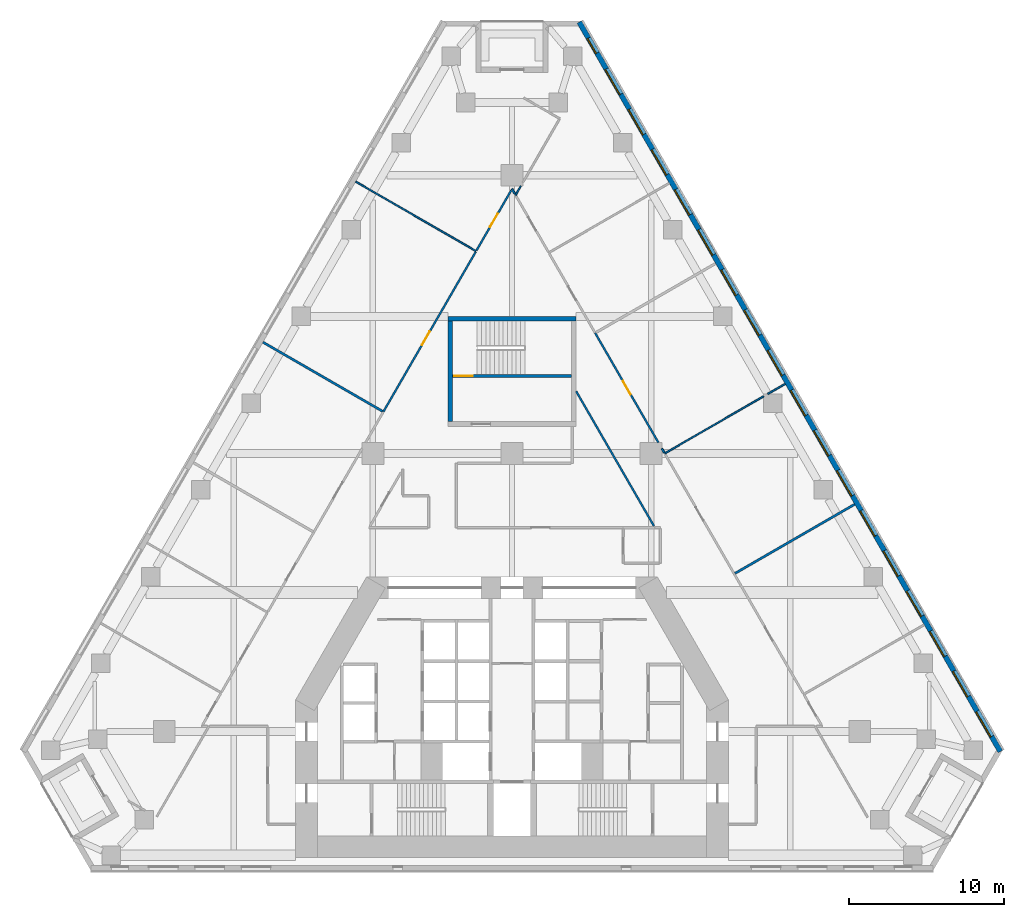
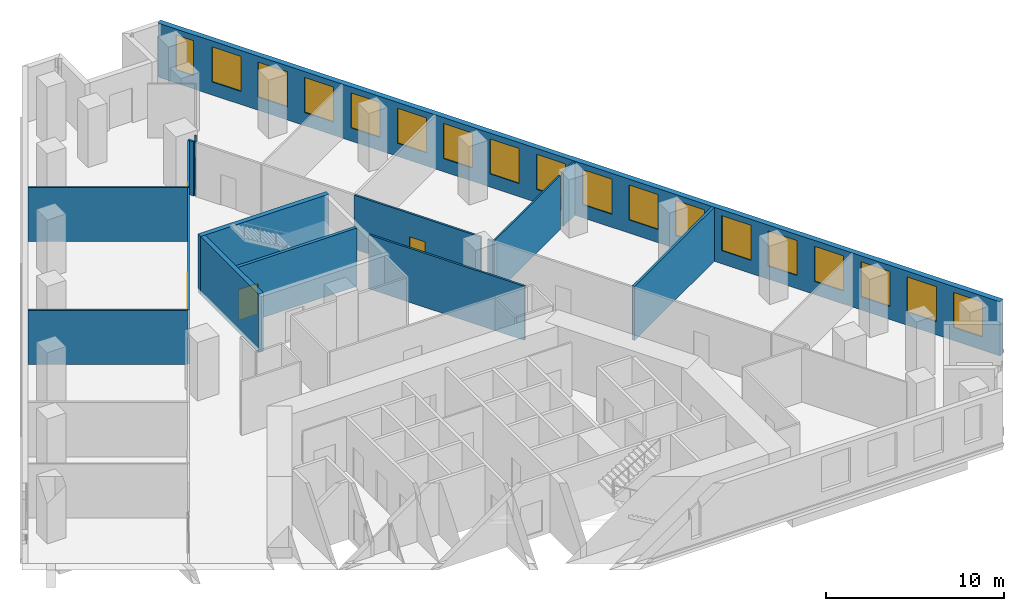
# One storey, part 8 of 11: 18 windows, 16 walls, 4 doors, 22 openings.
"""IFC4 building model written with IfcOpenShell, lengths in metres."""

from ifc_helpers import new_model, si_unit, direction, frame, frame_2d, origin, place, context, subcontext, project, spatial, rectangle, extrude, material, layer, layer_set, type_object, element, fill, save


model = new_model("IFC4")

# Units and contexts
model_context = context("Model", 3, precision=1e-05, world=origin(), true_north=direction((0.0, 1.0)))
body_context = subcontext(model_context, "Body", "Model", "MODEL_VIEW")
ifc_project = project(units=[si_unit("LENGTHUNIT", "METRE"), si_unit("AREAUNIT", "SQUARE_METRE"), si_unit("VOLUMEUNIT", "CUBIC_METRE"), si_unit("PLANEANGLEUNIT", "RADIAN"), si_unit("MASSUNIT", "GRAM", prefix="KILO")], contexts=[model_context])

# Site, building, storey
site_placement = place(None, origin())
site = spatial("IfcSite", under=ifc_project, at=site_placement, CompositionType="ELEMENT")
building_placement = place(site_placement, origin())
building = spatial("IfcBuilding", under=site, at=building_placement, Name="Fogline Exchange Tower", CompositionType="ELEMENT")
storey_placement = place(building_placement, frame((0.0, 0.0, 52.89990234375)))
storey = spatial("IfcBuildingStorey", under=building, at=storey_placement, Name="L10", CompositionType="ELEMENT", Elevation=52.89990234375)

# Wall, opening, door
ifc_material_1 = material(Name="Concrete C40", Category="concrete")
ifc_layer_1 = layer(ifc_material_1, 0.199951171875)
ifc_layer_set_1 = layer_set([ifc_layer_1], Name="CW20R")
wall_type_1 = type_object("IfcWallType", Name="CW20R", PredefinedType="SOLIDWALL", material=ifc_layer_set_1)
wall_1_placement = place(storey_placement, frame((-3.85009765625, 32.007080078125, -0.2998046875), z_axis=(0.0, 0.0, 1.0), x_axis=(1.0, 0.0, 0.0)))
wall_1 = element("IfcWall", 1, at=wall_1_placement, inside=storey, type_object=wall_type_1, Name="Stair enclosure wall ST3", PredefinedType="SOLIDWALL", context=body_context, shape_type="SweptSolid", body=[
    extrude(rectangle(XDim=7.7001953125, YDim=0.199951171875, at=frame_2d((3.85009765625, 0.0))), origin(), (0.0, 0.0, 1.0), 4.0),
])
opening_1_placement = place(wall_1_placement, frame((0.10009765625, 0.0, 0.300048828125)))
opening_1 = element("IfcOpeningElement", 2, at=opening_1_placement, cuts=wall_1, Name="Opening T03-C024", PredefinedType="OPENING", context=body_context, shape_type="SweptSolid", body=[
    extrude(rectangle(XDim=1.199951171875, YDim=2.10009765625, at=frame_2d((0.60009765625, 1.050048828125))), frame((0.0, 0.10986328125, 0.0), z_axis=(0.0, -1.0, 0.0), x_axis=(1.0, 0.0, 0.0)), (0.0, 0.0, 1.0), 0.219970703125),
])
ifc_material_2 = material(Name="Steel and timber fire door", Category="steel")
door_type_1 = type_object("IfcDoorType", Name="D-ST1", OperationType="SINGLE_SWING_LEFT", PredefinedType="DOOR", material=ifc_material_2)
door_1_placement = place(opening_1_placement, origin())
door_1 = element("IfcDoor", 3, at=door_1_placement, inside=storey, type_object=door_type_1, Name="Stair door ST3", OperationType="SINGLE_SWING_LEFT", OverallHeight=2.10009765625, OverallWidth=1.199951171875, PredefinedType="DOOR", context=body_context, shape_type="SweptSolid", body=[
    extrude(rectangle(XDim=1.199951171875, YDim=2.10009765625, at=frame_2d((0.60009765625, 1.050048828125))), frame((0.0, 0.02490234375, 0.0), z_axis=(0.0, -1.0, 0.0), x_axis=(1.0, 0.0, 0.0)), (0.0, 0.0, 1.0), 0.050048828125),
])
fill(opening_1, door_1)

# Walls
ifc_layer_2 = layer(ifc_material_1, 0.300048828125)
ifc_layer_set_2 = layer_set([ifc_layer_2], Name="CW30")
wall_type_2 = type_object("IfcWallType", Name="CW30", PredefinedType="SOLIDWALL", material=ifc_layer_set_2)
wall_2_placement = place(storey_placement, frame((-4.14990234375, 35.70703125, -0.2998046875), z_axis=(0.0, 0.0, 1.0), x_axis=(1.0, 0.0, 0.0)))
element("IfcWall", 4, at=wall_2_placement, inside=storey, type_object=wall_type_2, Name="Stair enclosure wall ST3", PredefinedType="SOLIDWALL", context=body_context, shape_type="SweptSolid", body=[
    extrude(rectangle(XDim=8.2998046875, YDim=0.300048828125, at=frame_2d((4.14990234375, 0.0))), origin(), (0.0, 0.0, 1.0), 4.0),
])
wall_3_placement = place(storey_placement, frame((-4.0, 29.056884765625, -0.2998046875), z_axis=(0.0, 0.0, 1.0), x_axis=(0.0, 1.0, 0.0)))
element("IfcWall", 5, at=wall_3_placement, inside=storey, type_object=wall_type_2, Name="Stair enclosure wall ST3", PredefinedType="SOLIDWALL", context=body_context, shape_type="SweptSolid", body=[
    extrude(rectangle(XDim=6.5, YDim=0.300048828125, at=frame_2d((3.25, 0.0))), origin(), (0.0, 0.0, 1.0), 4.0),
])

# Wall, openings, windows
ifc_material_3 = material(Name="Brick masonry", Category="masonry")
ifc_layer_3 = layer(ifc_material_3, 0.340087890625)
ifc_layer_set_3 = layer_set([ifc_layer_3], Name="FW1")
wall_type_3 = type_object("IfcWallType", Name="FW1", PredefinedType="SOLIDWALL", material=ifc_layer_set_3)
wall_4_placement = place(storey_placement, frame((31.60791015625, 7.709228515625, 0.0), z_axis=(0.0, 0.0, 1.0), x_axis=(-0.499997975305, 0.86602657274, 0.0)))
wall_4 = element("IfcWall", 6, at=wall_4_placement, inside=storey, type_object=wall_type_3, Name="Brick wall L10 E", PredefinedType="SOLIDWALL", context=body_context, shape_type="SweptSolid", body=[
    extrude(rectangle(XDim=54.510498046875, YDim=0.340087890625, at=frame_2d((27.25537109375, 0.0))), origin(), (0.0, 0.0, 1.0), 3.7001953125),
])
opening_2_placement = place(wall_4_placement, frame((1.127685546875, 0.0, 0.89990234375)))
opening_2 = element("IfcOpeningElement", 7, at=opening_2_placement, cuts=wall_4, Name="Opening W1", PredefinedType="OPENING", context=body_context, shape_type="SweptSolid", body=[
    extrude(rectangle(XDim=1.885009765625, YDim=2.39990234375, at=frame_2d((0.9423828125, 1.199951171875))), frame((0.0, 0.18017578125, 0.0), z_axis=(0.0, -1.0, 0.0), x_axis=(1.0, 0.0, 0.0)), (0.0, 0.0, 1.0), 0.360107421875),
])
opening_3_placement = place(wall_4_placement, frame((4.127685546875, 0.0, 0.89990234375)))
opening_3 = element("IfcOpeningElement", 8, at=opening_3_placement, cuts=wall_4, Name="Opening W1", PredefinedType="OPENING", context=body_context, shape_type="SweptSolid", body=[
    extrude(rectangle(XDim=1.885009765625, YDim=2.39990234375, at=frame_2d((0.9423828125, 1.199951171875))), frame((0.0, 0.18017578125, 0.0), z_axis=(0.0, -1.0, 0.0), x_axis=(1.0, 0.0, 0.0)), (0.0, 0.0, 1.0), 0.360107421875),
])
opening_4_placement = place(wall_4_placement, frame((7.127685546875, 0.0, 0.89990234375)))
opening_4 = element("IfcOpeningElement", 9, at=opening_4_placement, cuts=wall_4, Name="Opening W1", PredefinedType="OPENING", context=body_context, shape_type="SweptSolid", body=[
    extrude(rectangle(XDim=1.885009765625, YDim=2.39990234375, at=frame_2d((0.9423828125, 1.199951171875))), frame((0.0, 0.18017578125, 0.0), z_axis=(0.0, -1.0, 0.0), x_axis=(1.0, 0.0, 0.0)), (0.0, 0.0, 1.0), 0.360107421875),
])
opening_5_placement = place(wall_4_placement, frame((10.127685546875, 0.0, 0.89990234375)))
opening_5 = element("IfcOpeningElement", 10, at=opening_5_placement, cuts=wall_4, Name="Opening W1", PredefinedType="OPENING", context=body_context, shape_type="SweptSolid", body=[
    extrude(rectangle(XDim=1.885009765625, YDim=2.39990234375, at=frame_2d((0.9423828125, 1.199951171875))), frame((0.0, 0.18017578125, 0.0), z_axis=(0.0, -1.0, 0.0), x_axis=(1.0, 0.0, 0.0)), (0.0, 0.0, 1.0), 0.360107421875),
])
opening_6_placement = place(wall_4_placement, frame((13.127685546875, 0.0, 0.89990234375)))
opening_6 = element("IfcOpeningElement", 11, at=opening_6_placement, cuts=wall_4, Name="Opening W1", PredefinedType="OPENING", context=body_context, shape_type="SweptSolid", body=[
    extrude(rectangle(XDim=1.885009765625, YDim=2.39990234375, at=frame_2d((0.9423828125, 1.199951171875))), frame((0.0, 0.18017578125, 0.0), z_axis=(0.0, -1.0, 0.0), x_axis=(1.0, 0.0, 0.0)), (0.0, 0.0, 1.0), 0.360107421875),
])
opening_7_placement = place(wall_4_placement, frame((16.127685546875, 0.0, 0.89990234375)))
opening_7 = element("IfcOpeningElement", 12, at=opening_7_placement, cuts=wall_4, Name="Opening W1", PredefinedType="OPENING", context=body_context, shape_type="SweptSolid", body=[
    extrude(rectangle(XDim=1.885009765625, YDim=2.39990234375, at=frame_2d((0.9423828125, 1.199951171875))), frame((0.0, 0.18017578125, 0.0), z_axis=(0.0, -1.0, 0.0), x_axis=(1.0, 0.0, 0.0)), (0.0, 0.0, 1.0), 0.360107421875),
])
opening_8_placement = place(wall_4_placement, frame((19.127685546875, 0.0, 0.89990234375)))
opening_8 = element("IfcOpeningElement", 13, at=opening_8_placement, cuts=wall_4, Name="Opening W1", PredefinedType="OPENING", context=body_context, shape_type="SweptSolid", body=[
    extrude(rectangle(XDim=1.885009765625, YDim=2.39990234375, at=frame_2d((0.9423828125, 1.199951171875))), frame((0.0, 0.18017578125, 0.0), z_axis=(0.0, -1.0, 0.0), x_axis=(1.0, 0.0, 0.0)), (0.0, 0.0, 1.0), 0.360107421875),
])
opening_9_placement = place(wall_4_placement, frame((22.127685546875, 0.0, 0.89990234375)))
opening_9 = element("IfcOpeningElement", 14, at=opening_9_placement, cuts=wall_4, Name="Opening W1", PredefinedType="OPENING", context=body_context, shape_type="SweptSolid", body=[
    extrude(rectangle(XDim=1.885009765625, YDim=2.39990234375, at=frame_2d((0.9423828125, 1.199951171875))), frame((0.0, 0.18017578125, 0.0), z_axis=(0.0, -1.0, 0.0), x_axis=(1.0, 0.0, 0.0)), (0.0, 0.0, 1.0), 0.360107421875),
])
opening_10_placement = place(wall_4_placement, frame((25.127685546875, 0.0, 0.89990234375)))
opening_10 = element("IfcOpeningElement", 15, at=opening_10_placement, cuts=wall_4, Name="Opening W1", PredefinedType="OPENING", context=body_context, shape_type="SweptSolid", body=[
    extrude(rectangle(XDim=1.885009765625, YDim=2.39990234375, at=frame_2d((0.9423828125, 1.199951171875))), frame((0.0, 0.18017578125, 0.0), z_axis=(0.0, -1.0, 0.0), x_axis=(1.0, 0.0, 0.0)), (0.0, 0.0, 1.0), 0.360107421875),
])
opening_11_placement = place(wall_4_placement, frame((28.127685546875, 0.0, 0.89990234375)))
opening_11 = element("IfcOpeningElement", 16, at=opening_11_placement, cuts=wall_4, Name="Opening W1", PredefinedType="OPENING", context=body_context, shape_type="SweptSolid", body=[
    extrude(rectangle(XDim=1.885009765625, YDim=2.39990234375, at=frame_2d((0.9423828125, 1.199951171875))), frame((0.0, 0.18017578125, 0.0), z_axis=(0.0, -1.0, 0.0), x_axis=(1.0, 0.0, 0.0)), (0.0, 0.0, 1.0), 0.360107421875),
])
opening_12_placement = place(wall_4_placement, frame((31.127685546875, 0.0, 0.89990234375)))
opening_12 = element("IfcOpeningElement", 17, at=opening_12_placement, cuts=wall_4, Name="Opening W1", PredefinedType="OPENING", context=body_context, shape_type="SweptSolid", body=[
    extrude(rectangle(XDim=1.885009765625, YDim=2.39990234375, at=frame_2d((0.9423828125, 1.199951171875))), frame((0.0, 0.18017578125, 0.0), z_axis=(0.0, -1.0, 0.0), x_axis=(1.0, 0.0, 0.0)), (0.0, 0.0, 1.0), 0.360107421875),
])
opening_13_placement = place(wall_4_placement, frame((34.127685546875, 0.0, 0.89990234375)))
opening_13 = element("IfcOpeningElement", 18, at=opening_13_placement, cuts=wall_4, Name="Opening W1", PredefinedType="OPENING", context=body_context, shape_type="SweptSolid", body=[
    extrude(rectangle(XDim=1.885009765625, YDim=2.39990234375, at=frame_2d((0.9423828125, 1.199951171875))), frame((0.0, 0.18017578125, 0.0), z_axis=(0.0, -1.0, 0.0), x_axis=(1.0, 0.0, 0.0)), (0.0, 0.0, 1.0), 0.360107421875),
])
opening_14_placement = place(wall_4_placement, frame((37.127685546875, 0.0, 0.89990234375)))
opening_14 = element("IfcOpeningElement", 19, at=opening_14_placement, cuts=wall_4, Name="Opening W1", PredefinedType="OPENING", context=body_context, shape_type="SweptSolid", body=[
    extrude(rectangle(XDim=1.885009765625, YDim=2.39990234375, at=frame_2d((0.9423828125, 1.199951171875))), frame((0.0, 0.18017578125, 0.0), z_axis=(0.0, -1.0, 0.0), x_axis=(1.0, 0.0, 0.0)), (0.0, 0.0, 1.0), 0.360107421875),
])
opening_15_placement = place(wall_4_placement, frame((40.127685546875, 0.0, 0.89990234375)))
opening_15 = element("IfcOpeningElement", 20, at=opening_15_placement, cuts=wall_4, Name="Opening W1", PredefinedType="OPENING", context=body_context, shape_type="SweptSolid", body=[
    extrude(rectangle(XDim=1.885009765625, YDim=2.39990234375, at=frame_2d((0.9423828125, 1.199951171875))), frame((0.0, 0.18017578125, 0.0), z_axis=(0.0, -1.0, 0.0), x_axis=(1.0, 0.0, 0.0)), (0.0, 0.0, 1.0), 0.360107421875),
])
opening_16_placement = place(wall_4_placement, frame((43.127685546875, 0.0, 0.89990234375)))
opening_16 = element("IfcOpeningElement", 21, at=opening_16_placement, cuts=wall_4, Name="Opening W1", PredefinedType="OPENING", context=body_context, shape_type="SweptSolid", body=[
    extrude(rectangle(XDim=1.885009765625, YDim=2.39990234375, at=frame_2d((0.9423828125, 1.199951171875))), frame((0.0, 0.18017578125, 0.0), z_axis=(0.0, -1.0, 0.0), x_axis=(1.0, 0.0, 0.0)), (0.0, 0.0, 1.0), 0.360107421875),
])
opening_17_placement = place(wall_4_placement, frame((46.127685546875, 0.0, 0.89990234375)))
opening_17 = element("IfcOpeningElement", 22, at=opening_17_placement, cuts=wall_4, Name="Opening W1", PredefinedType="OPENING", context=body_context, shape_type="SweptSolid", body=[
    extrude(rectangle(XDim=1.885009765625, YDim=2.39990234375, at=frame_2d((0.9423828125, 1.199951171875))), frame((0.0, 0.18017578125, 0.0), z_axis=(0.0, -1.0, 0.0), x_axis=(1.0, 0.0, 0.0)), (0.0, 0.0, 1.0), 0.360107421875),
])
opening_18_placement = place(wall_4_placement, frame((49.127685546875, 0.0, 0.89990234375)))
opening_18 = element("IfcOpeningElement", 23, at=opening_18_placement, cuts=wall_4, Name="Opening W1", PredefinedType="OPENING", context=body_context, shape_type="SweptSolid", body=[
    extrude(rectangle(XDim=1.885009765625, YDim=2.39990234375, at=frame_2d((0.9423828125, 1.199951171875))), frame((0.0, 0.18017578125, 0.0), z_axis=(0.0, -1.0, 0.0), x_axis=(1.0, 0.0, 0.0)), (0.0, 0.0, 1.0), 0.360107421875),
])
opening_19_placement = place(wall_4_placement, frame((52.2041015625, 0.0, 0.89990234375)))
opening_19 = element("IfcOpeningElement", 24, at=opening_19_placement, cuts=wall_4, Name="Opening W4", PredefinedType="OPENING", context=body_context, shape_type="SweptSolid", body=[
    extrude(rectangle(XDim=1.114990234375, YDim=2.39990234375, at=frame_2d((0.5576171875, 1.199951171875))), frame((0.0, 0.18017578125, 0.0), z_axis=(0.0, -1.0, 0.0), x_axis=(1.0, 0.0, 0.0)), (0.0, 0.0, 1.0), 0.360107421875),
])
ifc_material_4 = material(Name="Aluminium and glass", Category="aluminium")
window_type_1 = type_object("IfcWindowType", Name="W1", PartitioningType="SINGLE_PANEL", PredefinedType="WINDOW", material=ifc_material_4)
window_1_placement = place(opening_2_placement, origin())
window_1 = element("IfcWindow", 25, at=window_1_placement, inside=storey, type_object=window_type_1, Name="W1 W1", OverallHeight=2.39990234375, OverallWidth=1.885009765625, PartitioningType="SINGLE_PANEL", PredefinedType="WINDOW", context=body_context, shape_type="SweptSolid", body=[
    extrude(rectangle(XDim=1.885009765625, YDim=2.39990234375, at=frame_2d((0.9423828125, 1.199951171875))), frame((0.0, 0.110107421875, 0.0), z_axis=(0.0, -1.0, 0.0), x_axis=(1.0, 0.0, 0.0)), (0.0, 0.0, 1.0), 0.06005859375),
])
fill(opening_2, window_1)
window_2_placement = place(opening_3_placement, origin())
window_2 = element("IfcWindow", 26, at=window_2_placement, inside=storey, type_object=window_type_1, Name="W1 W1", OverallHeight=2.39990234375, OverallWidth=1.885009765625, PartitioningType="SINGLE_PANEL", PredefinedType="WINDOW", context=body_context, shape_type="SweptSolid", body=[
    extrude(rectangle(XDim=1.885009765625, YDim=2.39990234375, at=frame_2d((0.9423828125, 1.199951171875))), frame((0.0, 0.110107421875, 0.0), z_axis=(0.0, -1.0, 0.0), x_axis=(1.0, 0.0, 0.0)), (0.0, 0.0, 1.0), 0.06005859375),
])
fill(opening_3, window_2)
window_3_placement = place(opening_4_placement, origin())
window_3 = element("IfcWindow", 27, at=window_3_placement, inside=storey, type_object=window_type_1, Name="W1 W1", OverallHeight=2.39990234375, OverallWidth=1.885009765625, PartitioningType="SINGLE_PANEL", PredefinedType="WINDOW", context=body_context, shape_type="SweptSolid", body=[
    extrude(rectangle(XDim=1.885009765625, YDim=2.39990234375, at=frame_2d((0.9423828125, 1.199951171875))), frame((0.0, 0.110107421875, 0.0), z_axis=(0.0, -1.0, 0.0), x_axis=(1.0, 0.0, 0.0)), (0.0, 0.0, 1.0), 0.06005859375),
])
fill(opening_4, window_3)
window_4_placement = place(opening_5_placement, origin())
window_4 = element("IfcWindow", 28, at=window_4_placement, inside=storey, type_object=window_type_1, Name="W1 W1", OverallHeight=2.39990234375, OverallWidth=1.885009765625, PartitioningType="SINGLE_PANEL", PredefinedType="WINDOW", context=body_context, shape_type="SweptSolid", body=[
    extrude(rectangle(XDim=1.885009765625, YDim=2.39990234375, at=frame_2d((0.9423828125, 1.199951171875))), frame((0.0, 0.110107421875, 0.0), z_axis=(0.0, -1.0, 0.0), x_axis=(1.0, 0.0, 0.0)), (0.0, 0.0, 1.0), 0.06005859375),
])
fill(opening_5, window_4)
window_5_placement = place(opening_6_placement, origin())
window_5 = element("IfcWindow", 29, at=window_5_placement, inside=storey, type_object=window_type_1, Name="W1 W1", OverallHeight=2.39990234375, OverallWidth=1.885009765625, PartitioningType="SINGLE_PANEL", PredefinedType="WINDOW", context=body_context, shape_type="SweptSolid", body=[
    extrude(rectangle(XDim=1.885009765625, YDim=2.39990234375, at=frame_2d((0.9423828125, 1.199951171875))), frame((0.0, 0.110107421875, 0.0), z_axis=(0.0, -1.0, 0.0), x_axis=(1.0, 0.0, 0.0)), (0.0, 0.0, 1.0), 0.06005859375),
])
fill(opening_6, window_5)
window_6_placement = place(opening_7_placement, origin())
window_6 = element("IfcWindow", 30, at=window_6_placement, inside=storey, type_object=window_type_1, Name="W1 W1", OverallHeight=2.39990234375, OverallWidth=1.885009765625, PartitioningType="SINGLE_PANEL", PredefinedType="WINDOW", context=body_context, shape_type="SweptSolid", body=[
    extrude(rectangle(XDim=1.885009765625, YDim=2.39990234375, at=frame_2d((0.9423828125, 1.199951171875))), frame((0.0, 0.110107421875, 0.0), z_axis=(0.0, -1.0, 0.0), x_axis=(1.0, 0.0, 0.0)), (0.0, 0.0, 1.0), 0.06005859375),
])
fill(opening_7, window_6)
window_7_placement = place(opening_8_placement, origin())
window_7 = element("IfcWindow", 31, at=window_7_placement, inside=storey, type_object=window_type_1, Name="W1 W1", OverallHeight=2.39990234375, OverallWidth=1.885009765625, PartitioningType="SINGLE_PANEL", PredefinedType="WINDOW", context=body_context, shape_type="SweptSolid", body=[
    extrude(rectangle(XDim=1.885009765625, YDim=2.39990234375, at=frame_2d((0.9423828125, 1.199951171875))), frame((0.0, 0.110107421875, 0.0), z_axis=(0.0, -1.0, 0.0), x_axis=(1.0, 0.0, 0.0)), (0.0, 0.0, 1.0), 0.06005859375),
])
fill(opening_8, window_7)
window_8_placement = place(opening_9_placement, origin())
window_8 = element("IfcWindow", 32, at=window_8_placement, inside=storey, type_object=window_type_1, Name="W1 W1", OverallHeight=2.39990234375, OverallWidth=1.885009765625, PartitioningType="SINGLE_PANEL", PredefinedType="WINDOW", context=body_context, shape_type="SweptSolid", body=[
    extrude(rectangle(XDim=1.885009765625, YDim=2.39990234375, at=frame_2d((0.9423828125, 1.199951171875))), frame((0.0, 0.110107421875, 0.0), z_axis=(0.0, -1.0, 0.0), x_axis=(1.0, 0.0, 0.0)), (0.0, 0.0, 1.0), 0.06005859375),
])
fill(opening_9, window_8)
window_9_placement = place(opening_10_placement, origin())
window_9 = element("IfcWindow", 33, at=window_9_placement, inside=storey, type_object=window_type_1, Name="W1 W1", OverallHeight=2.39990234375, OverallWidth=1.885009765625, PartitioningType="SINGLE_PANEL", PredefinedType="WINDOW", context=body_context, shape_type="SweptSolid", body=[
    extrude(rectangle(XDim=1.885009765625, YDim=2.39990234375, at=frame_2d((0.9423828125, 1.199951171875))), frame((0.0, 0.110107421875, 0.0), z_axis=(0.0, -1.0, 0.0), x_axis=(1.0, 0.0, 0.0)), (0.0, 0.0, 1.0), 0.06005859375),
])
fill(opening_10, window_9)
window_10_placement = place(opening_11_placement, origin())
window_10 = element("IfcWindow", 34, at=window_10_placement, inside=storey, type_object=window_type_1, Name="W1 W1", OverallHeight=2.39990234375, OverallWidth=1.885009765625, PartitioningType="SINGLE_PANEL", PredefinedType="WINDOW", context=body_context, shape_type="SweptSolid", body=[
    extrude(rectangle(XDim=1.885009765625, YDim=2.39990234375, at=frame_2d((0.9423828125, 1.199951171875))), frame((0.0, 0.110107421875, 0.0), z_axis=(0.0, -1.0, 0.0), x_axis=(1.0, 0.0, 0.0)), (0.0, 0.0, 1.0), 0.06005859375),
])
fill(opening_11, window_10)
window_11_placement = place(opening_12_placement, origin())
window_11 = element("IfcWindow", 35, at=window_11_placement, inside=storey, type_object=window_type_1, Name="W1 W1", OverallHeight=2.39990234375, OverallWidth=1.885009765625, PartitioningType="SINGLE_PANEL", PredefinedType="WINDOW", context=body_context, shape_type="SweptSolid", body=[
    extrude(rectangle(XDim=1.885009765625, YDim=2.39990234375, at=frame_2d((0.9423828125, 1.199951171875))), frame((0.0, 0.110107421875, 0.0), z_axis=(0.0, -1.0, 0.0), x_axis=(1.0, 0.0, 0.0)), (0.0, 0.0, 1.0), 0.06005859375),
])
fill(opening_12, window_11)
window_12_placement = place(opening_13_placement, origin())
window_12 = element("IfcWindow", 36, at=window_12_placement, inside=storey, type_object=window_type_1, Name="W1 W1", OverallHeight=2.39990234375, OverallWidth=1.885009765625, PartitioningType="SINGLE_PANEL", PredefinedType="WINDOW", context=body_context, shape_type="SweptSolid", body=[
    extrude(rectangle(XDim=1.885009765625, YDim=2.39990234375, at=frame_2d((0.9423828125, 1.199951171875))), frame((0.0, 0.110107421875, 0.0), z_axis=(0.0, -1.0, 0.0), x_axis=(1.0, 0.0, 0.0)), (0.0, 0.0, 1.0), 0.06005859375),
])
fill(opening_13, window_12)
window_13_placement = place(opening_14_placement, origin())
window_13 = element("IfcWindow", 37, at=window_13_placement, inside=storey, type_object=window_type_1, Name="W1 W1", OverallHeight=2.39990234375, OverallWidth=1.885009765625, PartitioningType="SINGLE_PANEL", PredefinedType="WINDOW", context=body_context, shape_type="SweptSolid", body=[
    extrude(rectangle(XDim=1.885009765625, YDim=2.39990234375, at=frame_2d((0.9423828125, 1.199951171875))), frame((0.0, 0.110107421875, 0.0), z_axis=(0.0, -1.0, 0.0), x_axis=(1.0, 0.0, 0.0)), (0.0, 0.0, 1.0), 0.06005859375),
])
fill(opening_14, window_13)
window_14_placement = place(opening_15_placement, origin())
window_14 = element("IfcWindow", 38, at=window_14_placement, inside=storey, type_object=window_type_1, Name="W1 W1", OverallHeight=2.39990234375, OverallWidth=1.885009765625, PartitioningType="SINGLE_PANEL", PredefinedType="WINDOW", context=body_context, shape_type="SweptSolid", body=[
    extrude(rectangle(XDim=1.885009765625, YDim=2.39990234375, at=frame_2d((0.9423828125, 1.199951171875))), frame((0.0, 0.110107421875, 0.0), z_axis=(0.0, -1.0, 0.0), x_axis=(1.0, 0.0, 0.0)), (0.0, 0.0, 1.0), 0.06005859375),
])
fill(opening_15, window_14)
window_15_placement = place(opening_16_placement, origin())
window_15 = element("IfcWindow", 39, at=window_15_placement, inside=storey, type_object=window_type_1, Name="W1 W1", OverallHeight=2.39990234375, OverallWidth=1.885009765625, PartitioningType="SINGLE_PANEL", PredefinedType="WINDOW", context=body_context, shape_type="SweptSolid", body=[
    extrude(rectangle(XDim=1.885009765625, YDim=2.39990234375, at=frame_2d((0.9423828125, 1.199951171875))), frame((0.0, 0.110107421875, 0.0), z_axis=(0.0, -1.0, 0.0), x_axis=(1.0, 0.0, 0.0)), (0.0, 0.0, 1.0), 0.06005859375),
])
fill(opening_16, window_15)
window_16_placement = place(opening_17_placement, origin())
window_16 = element("IfcWindow", 40, at=window_16_placement, inside=storey, type_object=window_type_1, Name="W1 W1", OverallHeight=2.39990234375, OverallWidth=1.885009765625, PartitioningType="SINGLE_PANEL", PredefinedType="WINDOW", context=body_context, shape_type="SweptSolid", body=[
    extrude(rectangle(XDim=1.885009765625, YDim=2.39990234375, at=frame_2d((0.9423828125, 1.199951171875))), frame((0.0, 0.110107421875, 0.0), z_axis=(0.0, -1.0, 0.0), x_axis=(1.0, 0.0, 0.0)), (0.0, 0.0, 1.0), 0.06005859375),
])
fill(opening_17, window_16)
window_17_placement = place(opening_18_placement, origin())
window_17 = element("IfcWindow", 41, at=window_17_placement, inside=storey, type_object=window_type_1, Name="W1 W1", OverallHeight=2.39990234375, OverallWidth=1.885009765625, PartitioningType="SINGLE_PANEL", PredefinedType="WINDOW", context=body_context, shape_type="SweptSolid", body=[
    extrude(rectangle(XDim=1.885009765625, YDim=2.39990234375, at=frame_2d((0.9423828125, 1.199951171875))), frame((0.0, 0.110107421875, 0.0), z_axis=(0.0, -1.0, 0.0), x_axis=(1.0, 0.0, 0.0)), (0.0, 0.0, 1.0), 0.06005859375),
])
fill(opening_18, window_17)
window_type_2 = type_object("IfcWindowType", Name="W4", PartitioningType="SINGLE_PANEL", PredefinedType="WINDOW", material=ifc_material_4)
window_18_placement = place(opening_19_placement, origin())
window_18 = element("IfcWindow", 42, at=window_18_placement, inside=storey, type_object=window_type_2, Name="W4 W4", OverallHeight=2.39990234375, OverallWidth=1.114990234375, PartitioningType="SINGLE_PANEL", PredefinedType="WINDOW", context=body_context, shape_type="SweptSolid", body=[
    extrude(rectangle(XDim=1.114990234375, YDim=2.39990234375, at=frame_2d((0.5576171875, 1.199951171875))), frame((0.0, 0.110107421875, 0.0), z_axis=(0.0, -1.0, 0.0), x_axis=(1.0, 0.0, 0.0)), (0.0, 0.0, 1.0), 0.06005859375),
])
fill(opening_19, window_18)

# Walls
ifc_material_5 = material(Name="Plasterboard partition, 2 layers each side on steel studs", Category="steel")
ifc_layer_4 = layer(ifc_material_5, 0.10009765625)
ifc_layer_set_4 = layer_set([ifc_layer_4], Name="PW1")
wall_type_4 = type_object("IfcWallType", Name="PW1", PredefinedType="PARTITIONING", material=ifc_layer_set_4)
wall_5_placement = place(storey_placement, frame((9.881591796875, 27.00048828125, 0.0), z_axis=(0.0, 0.0, 1.0), x_axis=(0.86601304703, 0.500021401916, 0.0)))
element("IfcWall", 43, at=wall_5_placement, inside=storey, type_object=wall_type_4, Name="wall-L10-W040", PredefinedType="PARTITIONING", context=body_context, shape_type="SweptSolid", body=[
    extrude(rectangle(XDim=7.399169921875, YDim=0.10009765625, at=frame_2d((3.69970703125, 0.0))), origin(), (0.0, 0.0, 1.0), 3.7001953125),
])
wall_6_placement = place(storey_placement, frame((16.553955078125, 30.852783203125, 0.0), z_axis=(0.0, 0.0, 1.0), x_axis=(0.866019241107, 0.500010673919, 0.0)))
element("IfcWall", 44, at=wall_6_placement, inside=storey, type_object=wall_type_4, Name="wall-L10-W041", PredefinedType="PARTITIONING", context=body_context, shape_type="SweptSolid", body=[
    extrude(rectangle(XDim=1.29541015625, YDim=0.10009765625, at=frame_2d((0.647705078125, 0.0))), origin(), (0.0, 0.0, 1.0), 3.7001953125),
])
wall_7_placement = place(storey_placement, frame((0.23095703125, 43.7158203125, 0.0), z_axis=(0.0, 0.0, 1.0), x_axis=(0.499837337514, 0.866119296648, 0.0)))
element("IfcWall", 45, at=wall_7_placement, inside=storey, type_object=wall_type_4, Name="wall-L10-W045", PredefinedType="PARTITIONING", context=body_context, shape_type="SweptSolid", body=[
    extrude(rectangle(XDim=0.674560546875, YDim=0.10009765625, at=frame_2d((0.33740234375, 0.0))), origin(), (0.0, 0.0, 1.0), 3.7001953125),
])
wall_8_placement = place(storey_placement, frame((-2.323974609375, 40.090576171875, 0.0), z_axis=(0.0, 0.0, 1.0), x_axis=(-0.866024315419, 0.5000018851, 0.0)))
element("IfcWall", 46, at=wall_8_placement, inside=storey, type_object=wall_type_4, Name="wall-L10-W048", PredefinedType="PARTITIONING", context=body_context, shape_type="SweptSolid", body=[
    extrude(rectangle(XDim=9.0, YDim=0.10009765625, at=frame_2d((4.5, 0.0))), origin(), (0.0, 0.0, 1.0), 3.7001953125),
])

# Wall, opening, door
ifc_material_6 = material(Name="Plasterboard corridor partition with mineral wool, 2 layers each side")
ifc_layer_5 = layer(ifc_material_6, 0.125)
ifc_layer_set_5 = layer_set([ifc_layer_5], Name="PW2")
wall_type_5 = type_object("IfcWallType", Name="PW2", PredefinedType="PARTITIONING", material=ifc_layer_set_5)
wall_9_placement = place(storey_placement, frame((5.381591796875, 34.794921875, 0.0), z_axis=(0.0, 0.0, 1.0), x_axis=(0.499991592391, -0.866030257865, 0.0)))
wall_9 = element("IfcWall", 47, at=wall_9_placement, inside=storey, type_object=wall_type_5, Name="wall-L10-W012", PredefinedType="PARTITIONING", context=body_context, shape_type="SweptSolid", body=[
    extrude(rectangle(XDim=8.192626953125, YDim=0.125, at=frame_2d((4.09619140625, 0.0))), origin(), (0.0, 0.0, 1.0), 3.7001953125),
])
opening_20_placement = place(wall_9_placement, frame((3.59619140625, 0.0, 0.0)))
opening_20 = element("IfcOpeningElement", 48, at=opening_20_placement, cuts=wall_9, Name="Opening T03-D006", PredefinedType="OPENING", context=body_context, shape_type="SweptSolid", body=[
    extrude(rectangle(XDim=1.0, YDim=2.10009765625, at=frame_2d((0.5, 1.050048828125))), frame((0.0, 0.072509765625, 0.0), z_axis=(0.0, -1.0, 0.0), x_axis=(1.0, 0.0, 0.0)), (0.0, 0.0, 1.0), 0.14501953125),
])
ifc_material_7 = material(Name="Fire-rated timber door leaf with steel frame", Category="steel")
door_type_2 = type_object("IfcDoorType", Name="D3", OperationType="SINGLE_SWING_LEFT", PredefinedType="DOOR", material=ifc_material_7)
door_2_placement = place(opening_20_placement, origin())
door_2 = element("IfcDoor", 49, at=door_2_placement, inside=storey, type_object=door_type_2, Name="door-L10-D006", OperationType="SINGLE_SWING_LEFT", OverallHeight=2.10009765625, OverallWidth=1.0, PredefinedType="DOOR", context=body_context, shape_type="SweptSolid", body=[
    extrude(rectangle(XDim=1.0, YDim=2.10009765625, at=frame_2d((0.5, 1.050048828125))), frame((0.0, 0.02490234375, 0.0), z_axis=(0.0, -1.0, 0.0), x_axis=(1.0, 0.0, 0.0)), (0.0, 0.0, 1.0), 0.050048828125),
])
fill(opening_20, door_2)

# Walls
wall_10_placement = place(storey_placement, frame((9.699951171875, 27.31494140625, 0.0), z_axis=(0.0, 0.0, 1.0), x_axis=(0.499835134068, -0.866120568253, 0.0)))
element("IfcWall", 50, at=wall_10_placement, inside=storey, type_object=wall_type_5, Name="wall-L10-W013", PredefinedType="PARTITIONING", context=body_context, shape_type="SweptSolid", body=[
    extrude(rectangle(XDim=0.3125, YDim=0.125, at=frame_2d((0.15625, 0.0))), origin(), (0.0, 0.0, 1.0), 3.7001953125),
])
wall_11_placement = place(storey_placement, frame((9.185302734375, 22.306640625, 0.0), z_axis=(0.0, 0.0, 1.0), x_axis=(-0.50001624924, 0.866016022078, 0.0)))
element("IfcWall", 51, at=wall_11_placement, inside=storey, type_object=wall_type_5, Name="wall-L10-W014", PredefinedType="PARTITIONING", context=body_context, shape_type="SweptSolid", body=[
    extrude(rectangle(XDim=10.070556640625, YDim=0.125, at=frame_2d((5.03515625, 0.0))), origin(), (0.0, 0.0, 1.0), 3.7001953125),
])

# Wall, opening, door
wall_12_placement = place(storey_placement, frame((-2.298828125, 40.13427734375, 0.0), z_axis=(0.0, 0.0, 1.0), x_axis=(0.49999394914, 0.866028897222, 0.0)))
wall_12 = element("IfcWall", 52, at=wall_12_placement, inside=storey, type_object=wall_type_5, Name="wall-L10-W017", PredefinedType="PARTITIONING", context=body_context, shape_type="SweptSolid", body=[
    extrude(rectangle(XDim=4.48876953125, YDim=0.125, at=frame_2d((2.244384765625, 0.0))), origin(), (0.0, 0.0, 1.0), 3.7001953125),
])
opening_21_placement = place(wall_12_placement, frame((1.744384765625, 0.0, 0.0)))
opening_21 = element("IfcOpeningElement", 53, at=opening_21_placement, cuts=wall_12, Name="Opening T03-D009", PredefinedType="OPENING", context=body_context, shape_type="SweptSolid", body=[
    extrude(rectangle(XDim=1.0, YDim=2.10009765625, at=frame_2d((0.5, 1.050048828125))), frame((0.0, 0.072509765625, 0.0), z_axis=(0.0, -1.0, 0.0), x_axis=(1.0, 0.0, 0.0)), (0.0, 0.0, 1.0), 0.14501953125),
])
door_3_placement = place(opening_21_placement, origin())
door_3 = element("IfcDoor", 54, at=door_3_placement, inside=storey, type_object=door_type_2, Name="door-L10-D009", OperationType="SINGLE_SWING_RIGHT", OverallHeight=2.10009765625, OverallWidth=1.0, PredefinedType="DOOR", context=body_context, shape_type="SweptSolid", body=[
    extrude(rectangle(XDim=1.0, YDim=2.10009765625, at=frame_2d((0.5, 1.050048828125))), frame((0.0, 0.02490234375, 0.0), z_axis=(0.0, -1.0, 0.0), x_axis=(1.0, 0.0, 0.0)), (0.0, 0.0, 1.0), 0.050048828125),
])
fill(opening_21, door_3)

# Wall
wall_13_placement = place(storey_placement, frame((0.0, 44.115966796875, 0.0), z_axis=(0.0, 0.0, 1.0), x_axis=(0.50006736263, -0.865986508459, 0.0)))
element("IfcWall", 55, at=wall_13_placement, inside=storey, type_object=wall_type_5, Name="wall-L10-W018", PredefinedType="PARTITIONING", context=body_context, shape_type="SweptSolid", body=[
    extrude(rectangle(XDim=0.36767578125, YDim=0.125, at=frame_2d((0.183837890625, 0.0))), origin(), (0.0, 0.0, 1.0), 3.7001953125),
])

# Wall, opening, door
wall_14_placement = place(storey_placement, frame((-8.323974609375, 29.6982421875, 0.0), z_axis=(0.0, 0.0, 1.0), x_axis=(0.500004241279, 0.866022955067, 0.0)))
wall_14 = element("IfcWall", 56, at=wall_14_placement, inside=storey, type_object=wall_type_5, Name="wall-L10-W019", PredefinedType="PARTITIONING", context=body_context, shape_type="SweptSolid", body=[
    extrude(rectangle(XDim=11.94970703125, YDim=0.125, at=frame_2d((5.974853515625, 0.0))), origin(), (0.0, 0.0, 1.0), 3.7001953125),
])
opening_22_placement = place(wall_14_placement, frame((4.999755859375, 0.0, 0.0)))
opening_22 = element("IfcOpeningElement", 57, at=opening_22_placement, cuts=wall_14, Name="Opening T03-D010", PredefinedType="OPENING", context=body_context, shape_type="SweptSolid", body=[
    extrude(rectangle(XDim=1.0, YDim=2.10009765625, at=frame_2d((0.5, 1.050048828125))), frame((0.0, 0.072509765625, 0.0), z_axis=(0.0, -1.0, 0.0), x_axis=(1.0, 0.0, 0.0)), (0.0, 0.0, 1.0), 0.14501953125),
])
door_4_placement = place(opening_22_placement, origin())
door_4 = element("IfcDoor", 58, at=door_4_placement, inside=storey, type_object=door_type_2, Name="door-L10-D010", OperationType="SINGLE_SWING_LEFT", OverallHeight=2.10009765625, OverallWidth=1.0, PredefinedType="DOOR", context=body_context, shape_type="SweptSolid", body=[
    extrude(rectangle(XDim=1.0, YDim=2.10009765625, at=frame_2d((0.5, 1.050048828125))), frame((0.0, 0.02490234375, 0.0), z_axis=(0.0, -1.0, 0.0), x_axis=(1.0, 0.0, 0.0)), (0.0, 0.0, 1.0), 0.050048828125),
])
fill(opening_22, door_4)

# Walls
ifc_material_8 = material(Name="Plasterboard demising partition with mineral wool and acoustic board")
ifc_layer_6 = layer(ifc_material_8, 0.14990234375)
ifc_layer_set_6 = layer_set([ifc_layer_6], Name="PW3")
wall_type_6 = type_object("IfcWallType", Name="PW3", PredefinedType="PARTITIONING", material=ifc_layer_set_6)
for number, where, z_axis, x_axis, name in (
    (59, (22.17578125, 23.706298828125, 0.0), (0.0, 0.0, 1.0), (-0.866040933244, -0.499973101223, 0.0), "wall-L10-W042"),
    (60, (-8.378173828125, 29.7294921875, 0.0), (0.0, 0.0, 1.0), (-0.866022276127, 0.500005417223, 0.0), "wall-L10-W049"),
):
    element("IfcWall", number, at=place(storey_placement, frame(where, z_axis=z_axis, x_axis=x_axis)), inside=storey, type_object=wall_type_6, Name=name, PredefinedType="PARTITIONING", context=body_context, shape_type="SweptSolid", body=[
        extrude(rectangle(XDim=8.9375, YDim=0.14990234375, at=frame_2d((4.46875, 0.0))), origin(), (0.0, 0.0, 1.0), 3.7001953125),
    ])

save(model, "model.ifc")
